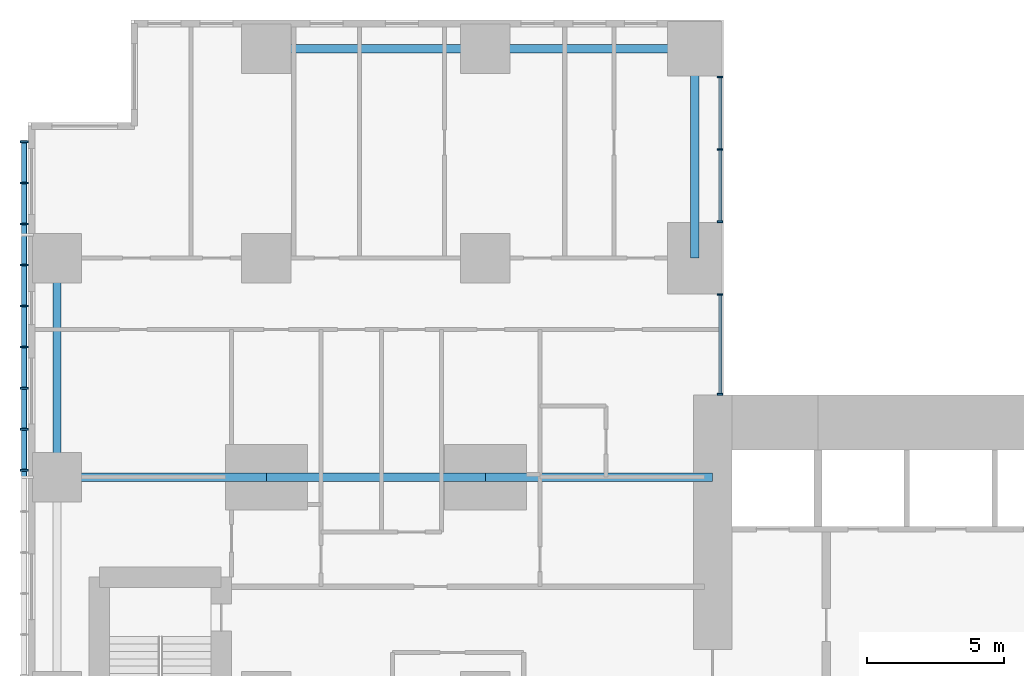
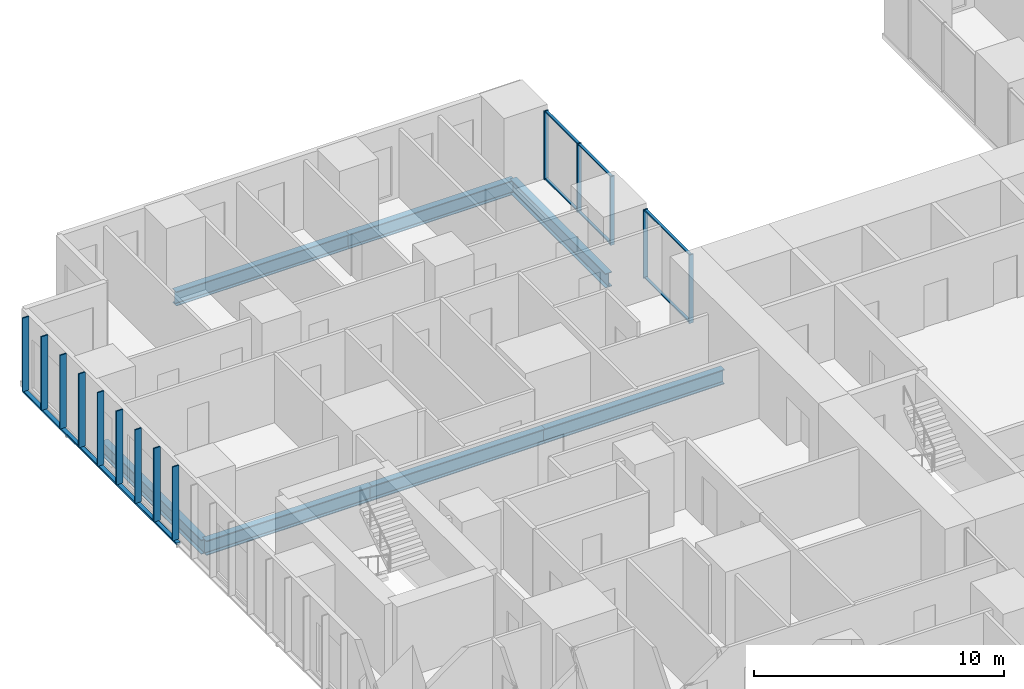
# One storey, part 4 of 20: 21 members, 7 beams, 2 elements without a shape of their own.
"""IFC4 building model written with IfcOpenShell, lengths in metres."""

from ifc_helpers import new_model, si_unit, direction, frame, origin, origin_2d, place, context, subcontext, project, spatial, rectangle, hollow_rectangle, i_section, extrude, material, layer, layer_set, material_profile, profile_set, type_object, element, aggregate, save


model = new_model("IFC4")

# Units and contexts
model_context = context("Model", 3, precision=1e-05, world=origin(), true_north=direction((0.0, 1.0)))
body_context = subcontext(model_context, "Body", "Model", "MODEL_VIEW")
ifc_project = project(units=[si_unit("LENGTHUNIT", "METRE"), si_unit("AREAUNIT", "SQUARE_METRE"), si_unit("VOLUMEUNIT", "CUBIC_METRE"), si_unit("PLANEANGLEUNIT", "RADIAN"), si_unit("MASSUNIT", "GRAM", prefix="KILO")], contexts=[model_context])

# Site, building, storey
site_placement = place(None, origin())
site = spatial("IfcSite", under=ifc_project, at=site_placement, CompositionType="ELEMENT")
building_placement = place(site_placement, origin())
building = spatial("IfcBuilding", under=site, at=building_placement, Name="Cleftline Residences", CompositionType="ELEMENT")
storey_placement = place(building_placement, frame((0.0, 0.0, 189.39990234375)))
storey = spatial("IfcBuildingStorey", under=building, at=storey_placement, Name="L49", CompositionType="ELEMENT", Elevation=189.39990234375)

# Member
ifc_material_1 = material(Name="Steel S355, hot-dip galvanised", Category="steel")
ifc_material_profile_1 = material_profile(ifc_material_1, hollow_rectangle(XDim=0.10009765625, YDim=0.199951171875, WallThickness=0.008056640625, InnerFilletRadius=0.008056640625, OuterFilletRadius=0.011962890625, at=origin_2d()))
ifc_profile_set_1 = profile_set([ifc_material_profile_1], Name="Steel S355, hot-dip galvanised")
member_type_1 = type_object("IfcMemberType", Name="BAGUETTE CARRIER RHS 200X100X8", PredefinedType="USERDEFINED", material=ifc_profile_set_1)
member_1_placement = place(storey_placement, frame((-0.85009765625, 44.300048828125, -0.0498046875), z_axis=(0.0, -1.0, 0.0), x_axis=(0.0, 0.0, 1.0)))
element("IfcMember", 1, at=member_1_placement, inside=storey, type_object=member_type_1, Name="Baguette carrier", ObjectType="BAGUETTE CARRIER", PredefinedType="USERDEFINED", context=body_context, shape_type="SweptSolid", body=[
    extrude(hollow_rectangle(XDim=0.10009765625, YDim=0.199951171875, WallThickness=0.008056640625, InnerFilletRadius=0.008056640625, OuterFilletRadius=0.011962890625, at=origin_2d()), origin(), (0.0, 0.0, 1.0), 12.300048828125),
])

# Beams
ifc_material_2 = material(Name="Steel S355", Category="steel")
ifc_material_profile_2 = material_profile(ifc_material_2, i_section(OverallWidth=0.300048828125, OverallDepth=0.699951171875, WebThickness=0.01708984375, FlangeThickness=0.031982421875, FilletRadius=0.027099609375, at=origin_2d()))
ifc_profile_set_2 = profile_set([ifc_material_profile_2], Name="Steel S355")
beam_type_1 = type_object("IfcBeamType", Name="BEAM HEB 700", PredefinedType="BEAM", material=ifc_profile_set_2)
for number, where, z_axis, x_axis, name in (
    (2, (0.35009765625, 32.0, -0.599853515625), (0.0, 1.0, 0.0), (-1.0, 0.0, 0.0), "Edge beam"),
    (3, (8.0, 47.64990234375, -0.599853515625), (1.0, 0.0, 0.0), (0.0, 1.0, 0.0), "Edge beam"),
):
    element("IfcBeam", number, at=place(storey_placement, frame(where, z_axis=z_axis, x_axis=x_axis)), inside=storey, type_object=beam_type_1, Name=name, PredefinedType="BEAM", context=body_context, shape_type="SweptSolid", body=[
        extrude(i_section(OverallWidth=0.300048828125, OverallDepth=0.699951171875, WebThickness=0.01708984375, FlangeThickness=0.031982421875, FilletRadius=0.027099609375, at=origin_2d()), origin(), (0.0, 0.0, 1.0), 8.0),
    ])
for number, where, z_axis, x_axis, name in (
    (4, (16.0, 47.64990234375, -0.599853515625), (1.0, 0.0, 0.0), (0.0, 1.0, 0.0), "Edge beam"),
    (5, (23.64990234375, 47.64990234375, -0.599853515625), (0.0, -1.0, 0.0), (1.0, 0.0, 0.0), "Edge beam"),
):
    element("IfcBeam", number, at=place(storey_placement, frame(where, z_axis=z_axis, x_axis=x_axis)), inside=storey, type_object=beam_type_1, Name=name, PredefinedType="BEAM", context=body_context, shape_type="SweptSolid", body=[
        extrude(i_section(OverallWidth=0.300048828125, OverallDepth=0.699951171875, WebThickness=0.01708984375, FlangeThickness=0.031982421875, FilletRadius=0.027099609375, at=origin_2d()), origin(), (0.0, 0.0, 1.0), 7.64990234375),
    ])
ifc_material_3 = material(Name="Steel S355", Category="steel")
ifc_material_profile_3 = material_profile(ifc_material_3, i_section(OverallWidth=0.303955078125, OverallDepth=0.716064453125, WebThickness=0.02099609375, FlangeThickness=0.0400390625, FilletRadius=0.027099609375, at=origin_2d()))
ifc_profile_set_3 = profile_set([ifc_material_profile_3], Name="Steel S355")
beam_type_2 = type_object("IfcBeamType", Name="BEAM HEM 700", PredefinedType="BEAM", material=ifc_profile_set_3)
beam_1_placement = place(storey_placement, frame((0.35009765625, 32.0, -0.60791015625), z_axis=(1.0, 0.0, 0.0), x_axis=(0.0, 1.0, 0.0)))
element("IfcBeam", 6, at=beam_1_placement, inside=storey, type_object=beam_type_2, Name="Band beam", PredefinedType="BEAM", context=body_context, shape_type="SweptSolid", body=[
    extrude(i_section(OverallWidth=0.303955078125, OverallDepth=0.716064453125, WebThickness=0.02099609375, FlangeThickness=0.0400390625, FilletRadius=0.027099609375, at=origin_2d()), origin(), (0.0, 0.0, 1.0), 7.64990234375),
])
beam_2_placement = place(storey_placement, frame((8.0, 32.0, -0.60791015625), z_axis=(1.0, 0.0, 0.0), x_axis=(0.0, 1.0, 0.0)))
element("IfcBeam", 7, at=beam_2_placement, inside=storey, type_object=beam_type_2, Name="Band beam", PredefinedType="BEAM", context=body_context, shape_type="SweptSolid", body=[
    extrude(i_section(OverallWidth=0.303955078125, OverallDepth=0.716064453125, WebThickness=0.02099609375, FlangeThickness=0.0400390625, FilletRadius=0.027099609375, at=origin_2d()), origin(), (0.0, 0.0, 1.0), 8.0),
])
beam_3_placement = place(storey_placement, frame((16.0, 32.0, -0.60791015625), z_axis=(1.0, 0.0, 0.0), x_axis=(0.0, 1.0, 0.0)))
element("IfcBeam", 8, at=beam_3_placement, inside=storey, type_object=beam_type_2, Name="Band beam", PredefinedType="BEAM", context=body_context, shape_type="SweptSolid", body=[
    extrude(i_section(OverallWidth=0.303955078125, OverallDepth=0.716064453125, WebThickness=0.02099609375, FlangeThickness=0.0400390625, FilletRadius=0.027099609375, at=origin_2d()), origin(), (0.0, 0.0, 1.0), 8.300048828125),
])

# Curtain wall, members
ifc_material_4 = material(Name="Aluminium framed curtain wall", Category="aluminium")
ifc_layer = layer(ifc_material_4, 0.199951171875)
ifc_layer_set = layer_set([ifc_layer], Name="CW1 CLEFT GLAZING")
curtain_wall_type = type_object("IfcCurtainWallType", Name="CW1 CLEFT GLAZING", PredefinedType="NOTDEFINED", material=ifc_layer_set)
curtain_wall_1_placement = place(storey_placement, origin())
curtain_wall_1 = element("IfcCurtainWall", 9, at=curtain_wall_1_placement, inside=storey, type_object=curtain_wall_type, Name="Curtain wall CW1", PredefinedType="NOTDEFINED")
ifc_material_5 = material(Name="Aluminium mullion", Category="aluminium")
ifc_material_profile_4 = material_profile(ifc_material_5, rectangle(XDim=0.199951171875, YDim=0.06005859375, at=origin_2d()))
ifc_profile_set_4 = profile_set([ifc_material_profile_4], Name="Aluminium mullion")
member_type_2 = type_object("IfcMemberType", Name="CW1 MULLION", PredefinedType="MULLION", material=ifc_profile_set_4)
member_2_placement = place(storey_placement, frame((24.574951171875, 35.030029296875, 0.0), z_axis=(0.0, 0.0, 1.0), x_axis=(-1.0, 0.0, 0.0)))
member_2 = element("IfcMember", 10, at=member_2_placement, type_object=member_type_2, Name="CW1 mullion 1", PredefinedType="MULLION", context=body_context, shape_type="SweptSolid", body=[
    extrude(rectangle(XDim=0.199951171875, YDim=0.06005859375, at=origin_2d()), origin(), (0.0, 0.0, 1.0), 3.35009765625),
])
member_3_placement = place(storey_placement, frame((24.574951171875, 38.669921875, 0.0), z_axis=(0.0, 0.0, 1.0), x_axis=(-1.0, 0.0, 0.0)))
member_3 = element("IfcMember", 11, at=member_3_placement, type_object=member_type_2, Name="CW1 mullion 2", PredefinedType="MULLION", context=body_context, shape_type="SweptSolid", body=[
    extrude(rectangle(XDim=0.199951171875, YDim=0.06005859375, at=origin_2d()), origin(), (0.0, 0.0, 1.0), 3.35009765625),
])

curtain_wall_2_placement = place(storey_placement, origin())
curtain_wall_2 = element("IfcCurtainWall", 12, at=curtain_wall_2_placement, inside=storey, type_object=curtain_wall_type, Name="Curtain wall CW1", PredefinedType="NOTDEFINED")
member_4_placement = place(storey_placement, frame((24.574951171875, 41.330078125, 0.0), z_axis=(0.0, 0.0, 1.0), x_axis=(-1.0, 0.0, 0.0)))
member_4 = element("IfcMember", 13, at=member_4_placement, type_object=member_type_2, Name="CW1 mullion 1", PredefinedType="MULLION", context=body_context, shape_type="SweptSolid", body=[
    extrude(rectangle(XDim=0.199951171875, YDim=0.06005859375, at=origin_2d()), origin(), (0.0, 0.0, 1.0), 3.35009765625),
])
member_5_placement = place(storey_placement, frame((24.574951171875, 43.97509765625, 0.0), z_axis=(0.0, 0.0, 1.0), x_axis=(-1.0, 0.0, 0.0)))
member_5 = element("IfcMember", 14, at=member_5_placement, type_object=member_type_2, Name="CW1 mullion 2", PredefinedType="MULLION", context=body_context, shape_type="SweptSolid", body=[
    extrude(rectangle(XDim=0.199951171875, YDim=0.06005859375, at=origin_2d()), origin(), (0.0, 0.0, 1.0), 3.35009765625),
])
member_6_placement = place(storey_placement, frame((24.574951171875, 46.6201171875, 0.0), z_axis=(0.0, 0.0, 1.0), x_axis=(-1.0, 0.0, 0.0)))
member_6 = element("IfcMember", 15, at=member_6_placement, type_object=member_type_2, Name="CW1 mullion 3", PredefinedType="MULLION", context=body_context, shape_type="SweptSolid", body=[
    extrude(rectangle(XDim=0.199951171875, YDim=0.06005859375, at=origin_2d()), origin(), (0.0, 0.0, 1.0), 3.35009765625),
])

# Member
ifc_material_6 = material(Name="Aluminium transom", Category="aluminium")
ifc_material_profile_5 = material_profile(ifc_material_6, rectangle(XDim=0.1201171875, YDim=0.06005859375, at=origin_2d()))
ifc_profile_set_5 = profile_set([ifc_material_profile_5], Name="Aluminium transom")
member_type_3 = type_object("IfcMemberType", Name="CW1 TRANSOM", PredefinedType="USERDEFINED", material=ifc_profile_set_5)
member_7_placement = place(storey_placement, frame((24.574951171875, 35.06005859375, 0.030029296875), z_axis=(0.0, 1.0, 0.0), x_axis=(-1.0, 0.0, 0.0)))
member_7 = element("IfcMember", 16, at=member_7_placement, type_object=member_type_3, Name="CW1 transom 1.1", ObjectType="TRANSOM", PredefinedType="USERDEFINED", context=body_context, shape_type="SweptSolid", body=[
    extrude(rectangle(XDim=0.1201171875, YDim=0.06005859375, at=origin_2d()), origin(), (0.0, 0.0, 1.0), 3.579833984375),
])

member_8_placement = place(storey_placement, frame((24.574951171875, 35.06005859375, 3.320068359375), z_axis=(0.0, 1.0, 0.0), x_axis=(-1.0, 0.0, 0.0)))
member_8 = element("IfcMember", 17, at=member_8_placement, type_object=member_type_3, Name="CW1 transom 1.2", ObjectType="TRANSOM", PredefinedType="USERDEFINED", context=body_context, shape_type="SweptSolid", body=[
    extrude(rectangle(XDim=0.1201171875, YDim=0.06005859375, at=origin_2d()), origin(), (0.0, 0.0, 1.0), 3.579833984375),
])

aggregate(curtain_wall_1, [member_2, member_3, member_7, member_8])

member_9_placement = place(storey_placement, frame((24.574951171875, 41.360107421875, 0.030029296875), z_axis=(0.0, 1.0, 0.0), x_axis=(-1.0, 0.0, 0.0)))
member_9 = element("IfcMember", 18, at=member_9_placement, type_object=member_type_3, Name="CW1 transom 1.1", ObjectType="TRANSOM", PredefinedType="USERDEFINED", context=body_context, shape_type="SweptSolid", body=[
    extrude(rectangle(XDim=0.1201171875, YDim=0.06005859375, at=origin_2d()), origin(), (0.0, 0.0, 1.0), 2.5849609375),
])

member_10_placement = place(storey_placement, frame((24.574951171875, 41.360107421875, 3.320068359375), z_axis=(0.0, 1.0, 0.0), x_axis=(-1.0, 0.0, 0.0)))
member_10 = element("IfcMember", 19, at=member_10_placement, type_object=member_type_3, Name="CW1 transom 1.2", ObjectType="TRANSOM", PredefinedType="USERDEFINED", context=body_context, shape_type="SweptSolid", body=[
    extrude(rectangle(XDim=0.1201171875, YDim=0.06005859375, at=origin_2d()), origin(), (0.0, 0.0, 1.0), 2.5849609375),
])

member_11_placement = place(storey_placement, frame((24.574951171875, 44.0048828125, 0.030029296875), z_axis=(0.0, 1.0, 0.0), x_axis=(-1.0, 0.0, 0.0)))
member_11 = element("IfcMember", 20, at=member_11_placement, type_object=member_type_3, Name="CW1 transom 2.1", ObjectType="TRANSOM", PredefinedType="USERDEFINED", context=body_context, shape_type="SweptSolid", body=[
    extrude(rectangle(XDim=0.1201171875, YDim=0.06005859375, at=origin_2d()), origin(), (0.0, 0.0, 1.0), 2.585205078125),
])

member_12_placement = place(storey_placement, frame((24.574951171875, 44.0048828125, 3.320068359375), z_axis=(0.0, 1.0, 0.0), x_axis=(-1.0, 0.0, 0.0)))
member_12 = element("IfcMember", 21, at=member_12_placement, type_object=member_type_3, Name="CW1 transom 2.2", ObjectType="TRANSOM", PredefinedType="USERDEFINED", context=body_context, shape_type="SweptSolid", body=[
    extrude(rectangle(XDim=0.1201171875, YDim=0.06005859375, at=origin_2d()), origin(), (0.0, 0.0, 1.0), 2.585205078125),
])

aggregate(curtain_wall_2, [member_4, member_5, member_6, member_9, member_10, member_11, member_12])

# Members
ifc_material_7 = material(Name="Extruded terracotta", Category="masonry")
ifc_material_profile_6 = material_profile(ifc_material_7, rectangle(XDim=0.06005859375, YDim=0.300048828125, at=origin_2d()))
ifc_profile_set_6 = profile_set([ifc_material_profile_6], Name="Extruded terracotta")
member_type_4 = type_object("IfcMemberType", Name="TERRACOTTA BAGUETTE 60X300", PredefinedType="USERDEFINED", material=ifc_profile_set_6)
for number, where, z_axis, x_axis, name in (
    (22, (-0.85009765625, 44.25, 0.0), (0.0, 0.0, 1.0), (0.0, 1.0, 0.0), "Terracotta baguette"),
    (23, (-0.85009765625, 42.75, 0.0), (0.0, 0.0, 1.0), (0.0, 1.0, 0.0), "Terracotta baguette"),
    (24, (-0.85009765625, 41.25, 0.0), (0.0, 0.0, 1.0), (0.0, 1.0, 0.0), "Terracotta baguette"),
    (25, (-0.85009765625, 39.75, 0.0), (0.0, 0.0, 1.0), (0.0, 1.0, 0.0), "Terracotta baguette"),
    (26, (-0.85009765625, 38.25, 0.0), (0.0, 0.0, 1.0), (0.0, 1.0, 0.0), "Terracotta baguette"),
    (27, (-0.85009765625, 36.75, 0.0), (0.0, 0.0, 1.0), (0.0, 1.0, 0.0), "Terracotta baguette"),
    (28, (-0.85009765625, 35.25, 0.0), (0.0, 0.0, 1.0), (0.0, 1.0, 0.0), "Terracotta baguette"),
    (29, (-0.85009765625, 33.75, 0.0), (0.0, 0.0, 1.0), (0.0, 1.0, 0.0), "Terracotta baguette"),
    (30, (-0.85009765625, 32.25, 0.0), (0.0, 0.0, 1.0), (0.0, 1.0, 0.0), "Terracotta baguette"),
):
    element("IfcMember", number, at=place(storey_placement, frame(where, z_axis=z_axis, x_axis=x_axis)), inside=storey, type_object=member_type_4, Name=name, ObjectType="BAGUETTE", PredefinedType="USERDEFINED", context=body_context, shape_type="SweptSolid", body=[
        extrude(rectangle(XDim=0.06005859375, YDim=0.300048828125, at=origin_2d()), origin(), (0.0, 0.0, 1.0), 3.60009765625),
    ])

save(model, "model.ifc")
